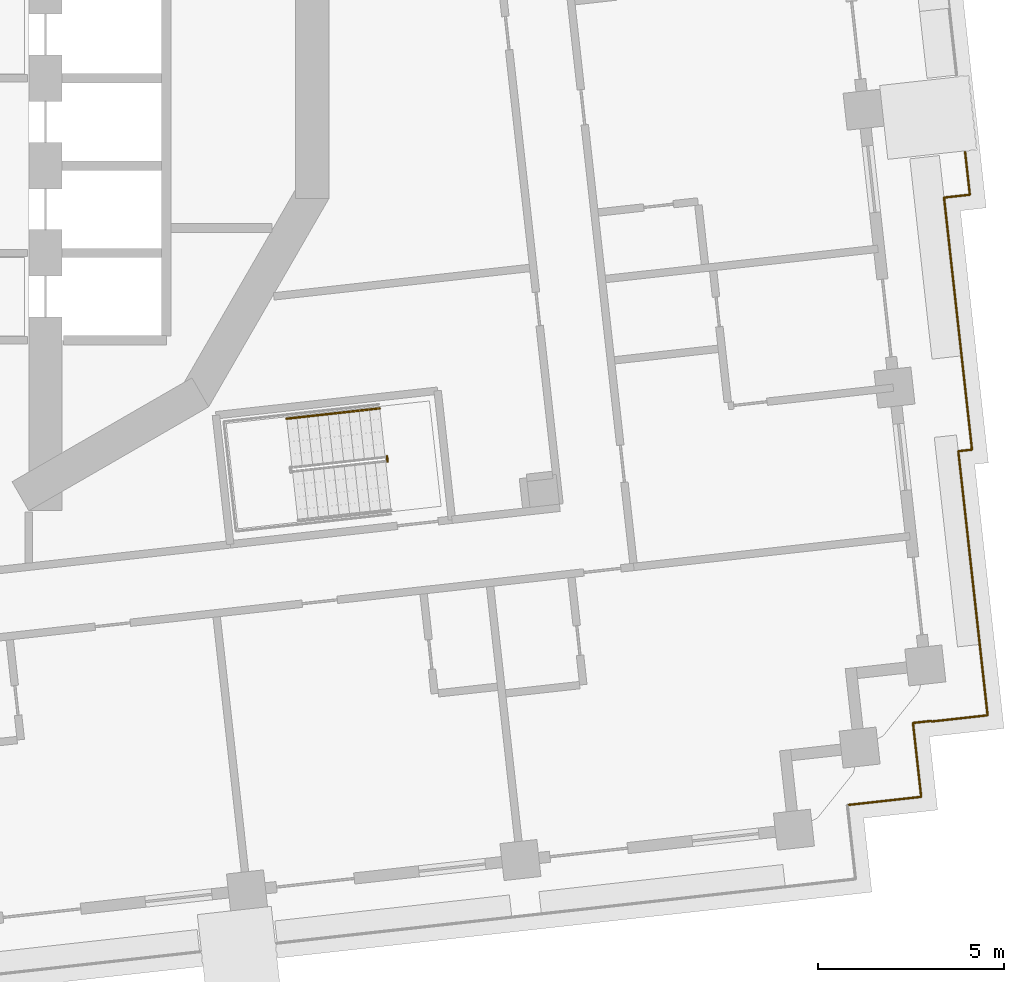
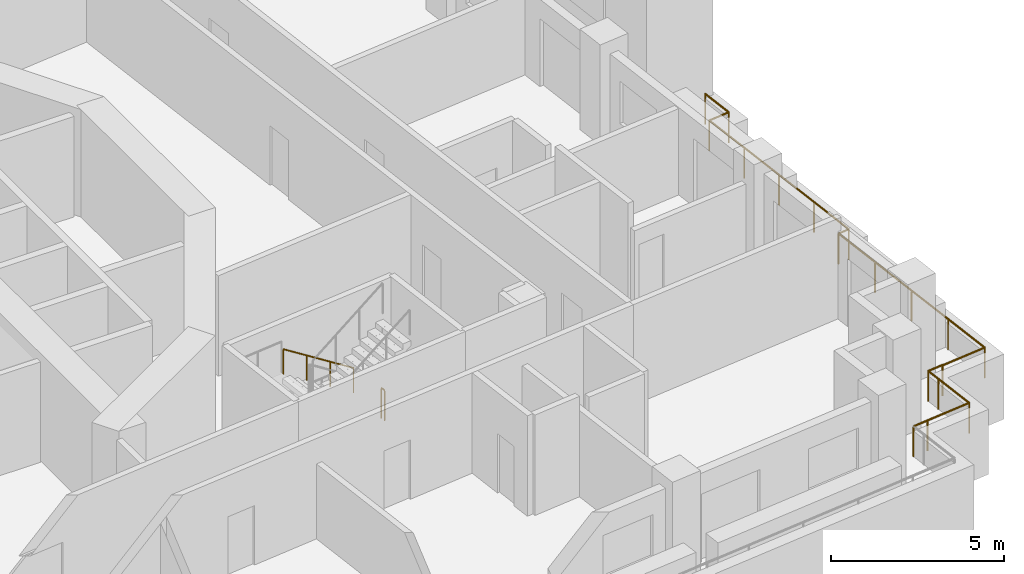
# One storey, part 14 of 20: 3 railings.
"""IFC4 building model written with IfcOpenShell, lengths in metres."""

from ifc_helpers import new_model, si_unit, direction, frame, origin, origin_2d, place, context, subcontext, project, spatial, circle, extrude, material, type_object, element, save


model = new_model("IFC4")

# Units and contexts
model_context = context("Model", 3, precision=1e-05, world=origin(), true_north=direction((0.0, 1.0)))
body_context = subcontext(model_context, "Body", "Model", "MODEL_VIEW")
ifc_project = project(units=[si_unit("LENGTHUNIT", "METRE"), si_unit("AREAUNIT", "SQUARE_METRE"), si_unit("VOLUMEUNIT", "CUBIC_METRE"), si_unit("PLANEANGLEUNIT", "RADIAN"), si_unit("MASSUNIT", "GRAM", prefix="KILO")], contexts=[model_context])

# Site, building, storey
site_placement = place(None, origin())
site = spatial("IfcSite", under=ifc_project, at=site_placement, CompositionType="ELEMENT")
building_placement = place(site_placement, origin())
building = spatial("IfcBuilding", under=site, at=building_placement, Name="Cantera Rosa Tower", CompositionType="ELEMENT")
storey_placement = place(building_placement, frame((0.0, 0.0, 42.5)))
storey = spatial("IfcBuildingStorey", under=building, at=storey_placement, Name="L07", CompositionType="ELEMENT", Elevation=42.5)

# Railings
ifc_material_1 = material(Name="Stainless steel and laminated glass", Category="steel")
railing_type_1 = type_object("IfcRailingType", Name="GUARD 1100", PredefinedType="BALUSTRADE", material=ifc_material_1)
railing_1_placement = place(storey_placement, frame((29.184326171875, -1.982666015625, 0.0)))
element("IfcRailing", 1, at=railing_1_placement, inside=storey, type_object=railing_type_1, Name="GUARD L07-8", PredefinedType="BALUSTRADE", context=body_context, shape_type="SweptSolid", body=[
    extrude(circle(Radius=0.030029296875, at=origin_2d()), frame((0.0, 0.0, 1.070068359375), z_axis=(0.110315771706, -0.993896589446, 0.0), x_axis=(0.993896589446, 0.110315771706, 0.0)), (0.0, 0.0, 1.0), 1.157470703125),
    extrude(circle(Radius=0.030029296875, at=origin_2d()), frame((0.127685546875, -1.150390625, 1.070068359375), z_axis=(-0.993892249382, -0.110354866762, 0.0), x_axis=(0.110354866762, -0.993892249382, 0.0)), (0.0, 0.0, 1.0), 0.698974609375),
    extrude(circle(Radius=0.030029296875, at=origin_2d()), frame((-0.567138671875, -1.2275390625, 1.070068359375), z_axis=(0.11030974647, -0.993897258188, 0.0), x_axis=(0.993897258188, 0.11030974647, 0.0)), (0.0, 0.0, 1.0), 6.8212890625),
    extrude(circle(Radius=0.030029296875, at=origin_2d()), frame((0.185302734375, -8.007080078125, 1.070068359375), z_axis=(-0.993947743224, -0.109853919999, 0.0), x_axis=(0.109853919999, -0.993947743224, 0.0)), (0.0, 0.0, 1.0), 0.37109375),
    extrude(circle(Radius=0.030029296875, at=origin_2d()), frame((-0.18359375, -8.0478515625, 1.070068359375), z_axis=(0.110307831849, -0.993897470684, 0.0), x_axis=(0.993897470684, 0.110307831849, 0.0)), (0.0, 0.0, 1.0), 7.14892578125),
    extrude(circle(Radius=0.030029296875, at=origin_2d()), frame((0.60498046875, -15.153076171875, 1.070068359375), z_axis=(-0.993907259084, -0.11021960053, 0.0), x_axis=(0.11021960053, -0.993907259084, 0.0)), (0.0, 0.0, 1.0), 1.517333984375),
    extrude(circle(Radius=0.030029296875, at=origin_2d()), frame((-0.903076171875, -15.3203125, 1.070068359375), z_axis=(-0.099503719021, 0.99503719021, 0.0), x_axis=(-0.99503719021, -0.099503719021, 0.0)), (0.0, 0.0, 1.0), 0.01708984375),
    extrude(circle(Radius=0.030029296875, at=origin_2d()), frame((-0.90478515625, -15.30322265625, 1.070068359375), z_axis=(-0.993895635261, -0.110324368158, 0.0), x_axis=(0.110324368158, -0.993895635261, 0.0)), (0.0, 0.0, 1.0), 0.500244140625),
    extrude(circle(Radius=0.030029296875, at=origin_2d()), frame((-1.40185546875, -15.3583984375, 1.070068359375), z_axis=(0.110324368158, -0.993895635261, 0.0), x_axis=(0.993895635261, 0.110324368158, 0.0)), (0.0, 0.0, 1.0), 0.500244140625),
    extrude(circle(Radius=0.030029296875, at=origin_2d()), frame((-1.3466796875, -15.85546875, 1.070068359375), z_axis=(0.110360064491, -0.993891672249, 0.0), x_axis=(0.993891672249, 0.110360064491, 0.0)), (0.0, 0.0, 1.0), 1.5),
    extrude(circle(Radius=0.030029296875, at=origin_2d()), frame((-1.18115234375, -17.34619140625, 1.070068359375), z_axis=(-0.993893654236, -0.110342213455, 0.0), x_axis=(0.110342213455, -0.993893654236, 0.0)), (0.0, 0.0, 1.0), 1.500244140625),
    extrude(circle(Radius=0.030029296875, at=origin_2d()), frame((-2.672119140625, -17.51171875, 1.070068359375), z_axis=(-0.9938896893, -0.110377921269, 0.0), x_axis=(0.110377921269, -0.9938896893, 0.0)), (0.0, 0.0, 1.0), 0.5),
    extrude(circle(Radius=0.02490234375, at=origin_2d()), origin(), (0.0, 0.0, 1.0), 1.0400390625),
    extrude(circle(Radius=0.02490234375, at=origin_2d()), frame((0.127685546875, -1.150390625, 0.0)), (0.0, 0.0, 1.0), 1.0400390625),
    extrude(circle(Radius=0.02490234375, at=origin_2d()), frame((-0.567138671875, -1.2275390625, 0.0)), (0.0, 0.0, 1.0), 1.0400390625),
    extrude(circle(Radius=0.02490234375, at=origin_2d()), frame((-0.37890625, -2.92236328125, 0.0)), (0.0, 0.0, 1.0), 1.0400390625),
    extrude(circle(Radius=0.02490234375, at=origin_2d()), frame((-0.19091796875, -4.6171875, 0.0)), (0.0, 0.0, 1.0), 1.0400390625),
    extrude(circle(Radius=0.02490234375, at=origin_2d()), frame((-0.0029296875, -6.312255859375, 0.0)), (0.0, 0.0, 1.0), 1.0400390625),
    extrude(circle(Radius=0.02490234375, at=origin_2d()), frame((0.185302734375, -8.007080078125, 0.0)), (0.0, 0.0, 1.0), 1.0400390625),
    extrude(circle(Radius=0.02490234375, at=origin_2d()), frame((-0.18359375, -8.0478515625, 0.0)), (0.0, 0.0, 1.0), 1.0400390625),
    extrude(circle(Radius=0.02490234375, at=origin_2d()), frame((0.013671875, -9.82421875, 0.0)), (0.0, 0.0, 1.0), 1.0400390625),
    extrude(circle(Radius=0.02490234375, at=origin_2d()), frame((0.210693359375, -11.6005859375, 0.0)), (0.0, 0.0, 1.0), 1.0400390625),
    extrude(circle(Radius=0.02490234375, at=origin_2d()), frame((0.40771484375, -13.376708984375, 0.0)), (0.0, 0.0, 1.0), 1.0400390625),
    extrude(circle(Radius=0.02490234375, at=origin_2d()), frame((0.60498046875, -15.153076171875, 0.0)), (0.0, 0.0, 1.0), 1.0400390625),
    extrude(circle(Radius=0.02490234375, at=origin_2d()), frame((-0.903076171875, -15.3203125, 0.0)), (0.0, 0.0, 1.0), 1.0400390625),
    extrude(circle(Radius=0.02490234375, at=origin_2d()), frame((-0.90478515625, -15.30322265625, 0.0)), (0.0, 0.0, 1.0), 1.0400390625),
    extrude(circle(Radius=0.02490234375, at=origin_2d()), frame((-1.40185546875, -15.3583984375, 0.0)), (0.0, 0.0, 1.0), 1.0400390625),
    extrude(circle(Radius=0.02490234375, at=origin_2d()), frame((-1.3466796875, -15.85546875, 0.0)), (0.0, 0.0, 1.0), 1.0400390625),
    extrude(circle(Radius=0.02490234375, at=origin_2d()), frame((-1.18115234375, -17.34619140625, 0.0)), (0.0, 0.0, 1.0), 1.0400390625),
    extrude(circle(Radius=0.02490234375, at=origin_2d()), frame((-2.672119140625, -17.51171875, 0.0)), (0.0, 0.0, 1.0), 1.0400390625),
    extrude(circle(Radius=0.02490234375, at=origin_2d()), frame((-3.1689453125, -17.56689453125, 0.0)), (0.0, 0.0, 1.0), 1.0400390625),
])
ifc_material_2 = material(Name="Steel S355J2 (EN 10025-2)", Category="steel")
railing_type_2 = type_object("IfcRailingType", Name="STAIR GUARD 1100", PredefinedType="GUARDRAIL", material=ifc_material_2)
railing_2_placement = place(storey_placement, frame((13.6328125, -10.16552734375, 0.0)))
element("IfcRailing", 2, at=railing_2_placement, inside=storey, type_object=railing_type_2, Name="L07 ST-14 stair guard 3", PredefinedType="GUARDRAIL", context=body_context, shape_type="SweptSolid", body=[
    extrude(circle(Radius=0.02392578125, at=origin_2d()), frame((0.0, 0.0, 1.076171875), z_axis=(0.110610055588, -0.993863881828, 0.0), x_axis=(0.993863881828, 0.110610055588, 0.0)), (0.0, 0.0, 1.0), 0.150146484375),
    extrude(circle(Radius=0.02099609375, at=origin_2d()), origin(), (0.0, 0.0, 1.0), 1.052001953125),
    extrude(circle(Radius=0.02099609375, at=origin_2d()), frame((0.0166015625, -0.149169921875, 0.0)), (0.0, 0.0, 1.0), 1.052001953125),
])
ifc_material_3 = material(Name="Steel S355J2 (EN 10025-2)", Category="steel")
railing_type_3 = type_object("IfcRailingType", Name="STAIR HANDRAIL 900", PredefinedType="HANDRAIL", material=ifc_material_3)
railing_3_placement = place(storey_placement, frame((13.439697265625, -8.87890625, 0.18994140625)))
element("IfcRailing", 3, at=railing_3_placement, inside=storey, type_object=railing_type_3, Name="L07 ST-14 stair handrail 1", PredefinedType="HANDRAIL", context=body_context, shape_type="SweptSolid", body=[
    extrude(circle(Radius=0.02392578125, at=origin_2d()), frame((0.0, 0.0, 0.8759765625), z_axis=(-0.822431337597, -0.091310000343, 0.561488360321), x_axis=(0.110346460196, -0.993893182753, 0.0)), (0.0, 0.0, 1.0), 3.04541015625),
    extrude(circle(Radius=0.02099609375, at=origin_2d()), origin(), (0.0, 0.0, 1.0), 0.851806640625),
    extrude(circle(Radius=0.02099609375, at=origin_2d()), frame((-0.8349609375, -0.0927734375, 0.570068359375)), (0.0, 0.0, 1.0), 0.851806640625),
    extrude(circle(Radius=0.02099609375, at=origin_2d()), frame((-1.669677734375, -0.185302734375, 1.139892578125)), (0.0, 0.0, 1.0), 0.851806640625),
    extrude(circle(Radius=0.02099609375, at=origin_2d()), frame((-2.504638671875, -0.278076171875, 1.7099609375)), (0.0, 0.0, 1.0), 0.851806640625),
])

save(model, "model.ifc")
